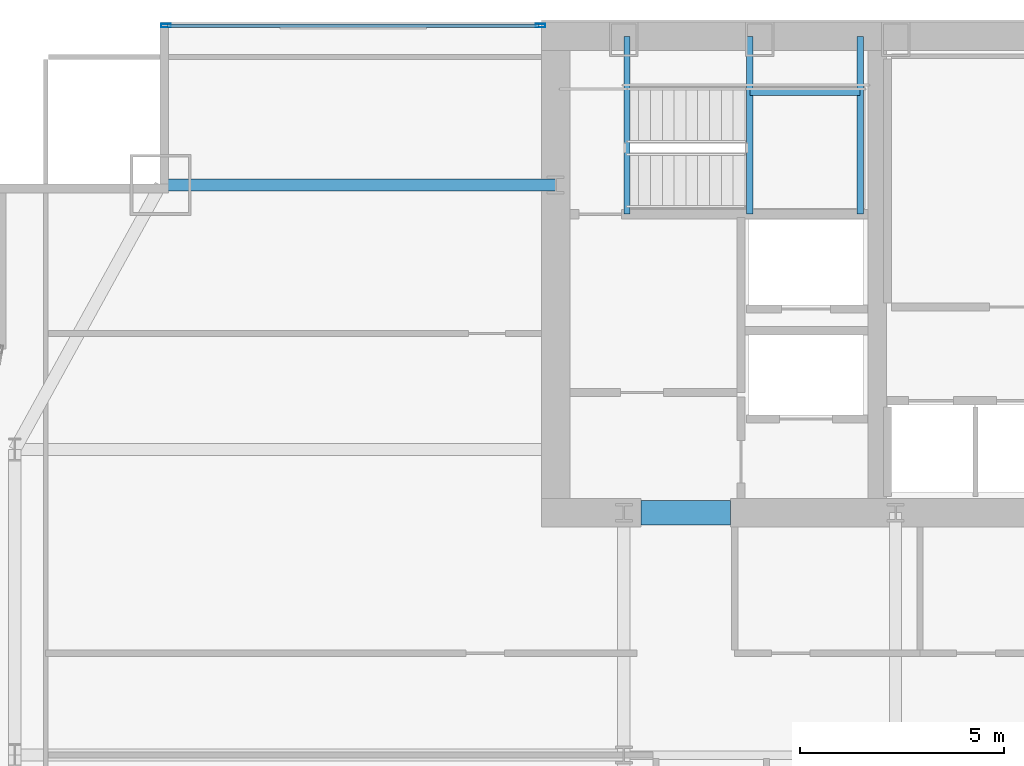
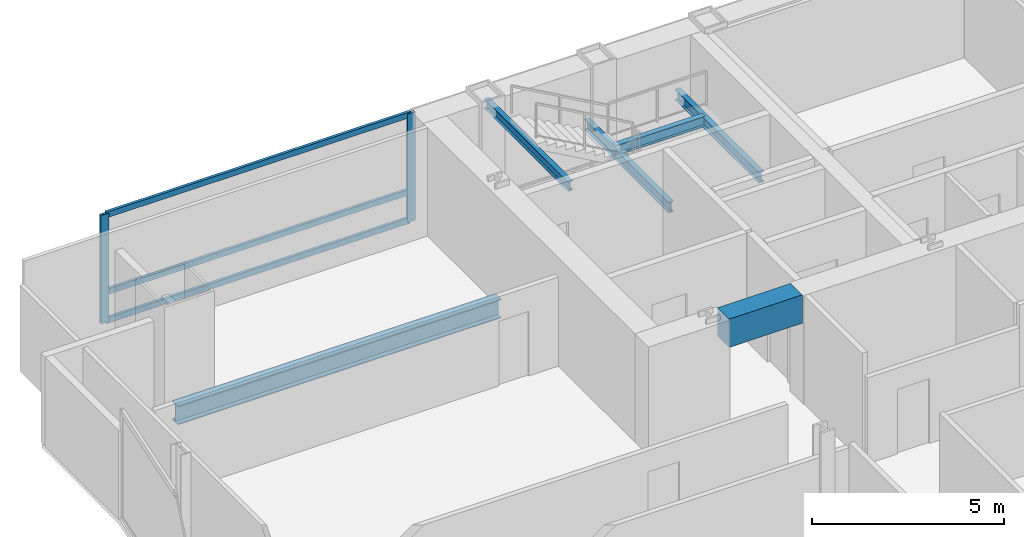
# One storey, part 18 of 31: 6 beams, 5 members, 1 element without a shape of its own.
"""IFC4 building model written with IfcOpenShell, lengths in metres."""

from ifc_helpers import new_model, si_unit, direction, frame, origin, origin_2d, place, context, subcontext, project, spatial, rectangle, hollow_rectangle, i_section, extrude, material, material_profile, profile_set, type_object, element, aggregate, save


model = new_model("IFC4")

# Units and contexts
model_context = context("Model", 3, precision=1e-05, world=origin(), true_north=direction((0.0, 1.0)))
body_context = subcontext(model_context, "Body", "Model", "MODEL_VIEW")
ifc_project = project(units=[si_unit("LENGTHUNIT", "METRE"), si_unit("AREAUNIT", "SQUARE_METRE"), si_unit("VOLUMEUNIT", "CUBIC_METRE"), si_unit("PLANEANGLEUNIT", "RADIAN"), si_unit("MASSUNIT", "GRAM", prefix="KILO")], contexts=[model_context])

# Site, building, storey
site_placement = place(None, origin())
site = spatial("IfcSite", under=ifc_project, at=site_placement, CompositionType="ELEMENT")
building_placement = place(site_placement, origin())
building = spatial("IfcBuilding", under=site, at=building_placement, Name="Khoronbel Lancet Exchange", CompositionType="ELEMENT")
storey_placement = place(building_placement, frame((0.0, 0.0, 121.800048828125)))
storey = spatial("IfcBuildingStorey", under=building, at=storey_placement, Name="L29", CompositionType="ELEMENT", Elevation=121.800048828125)

# Beams
ifc_material_1 = material(Name="Steel S355", Category="steel")
ifc_material_profile_1 = material_profile(ifc_material_1, i_section(OverallWidth=0.159912109375, OverallDepth=0.330078125, WebThickness=0.007568359375, FlangeThickness=0.011474609375, at=origin_2d()), Name="IPE 330")
ifc_profile_set_1 = profile_set([ifc_material_profile_1], Name="Steel S355")
beam_type_1 = type_object("IfcBeamType", Name="BM-BJ7", PredefinedType="JOIST", material=ifc_profile_set_1)
for number, where, z_axis, x_axis, name in (
    (1, (21.320068359375, 48.97998046875, 1.43505859375), (0.0, 1.0, 0.0), (-1.0, 0.0, 0.0), "Level L29 stair ST1 landing bearer beam 1"),
    (2, (24.030029296875, 48.97998046875, 1.43505859375), (0.0, 1.0, 0.0), (-1.0, 0.0, 0.0), "Level L29 stair ST1 rear landing bearer beam 1"),
):
    element("IfcBeam", number, at=place(storey_placement, frame(where, z_axis=z_axis, x_axis=x_axis)), inside=storey, type_object=beam_type_1, Name=name, PredefinedType="JOIST", context=body_context, shape_type="SweptSolid", body=[
        extrude(i_section(OverallWidth=0.159912109375, OverallDepth=0.330078125, WebThickness=0.007568359375, FlangeThickness=0.011474609375, at=origin_2d()), origin(), (0.0, 0.0, 1.0), 4.3701171875),
    ])
beam_1_placement = place(storey_placement, frame((21.320068359375, 51.97998046875, 1.43505859375), z_axis=(1.0, 0.0, 0.0), x_axis=(0.0, 1.0, 0.0)))
element("IfcBeam", 3, at=beam_1_placement, inside=storey, type_object=beam_type_1, Name="Level L29 stair ST1 landing cross trimmer beam 1", PredefinedType="JOIST", context=body_context, shape_type="SweptSolid", body=[
    extrude(i_section(OverallWidth=0.159912109375, OverallDepth=0.330078125, WebThickness=0.007568359375, FlangeThickness=0.011474609375, at=origin_2d()), origin(), (0.0, 0.0, 1.0), 2.7099609375),
])
ifc_material_profile_2 = material_profile(ifc_material_1, i_section(OverallWidth=0.14990234375, OverallDepth=0.300048828125, WebThickness=0.007080078125, FlangeThickness=0.0107421875, at=origin_2d()), Name="IPE 300")
ifc_profile_set_2 = profile_set([ifc_material_profile_2], Name="Steel S355")
beam_type_2 = type_object("IfcBeamType", Name="BM-BJ8", PredefinedType="JOIST", material=ifc_profile_set_2)
beam_2_placement = place(storey_placement, frame((18.300048828125, 48.97998046875, 3.159912109375), z_axis=(0.0, 1.0, 0.0), x_axis=(-1.0, 0.0, 0.0)))
element("IfcBeam", 4, at=beam_2_placement, inside=storey, type_object=beam_type_2, Name="Level L29 stair ST1 upper-flight arrival trimmer beam", PredefinedType="JOIST", context=body_context, shape_type="SweptSolid", body=[
    extrude(i_section(OverallWidth=0.14990234375, OverallDepth=0.300048828125, WebThickness=0.007080078125, FlangeThickness=0.0107421875, at=origin_2d()), origin(), (0.0, 0.0, 1.0), 4.3701171875),
])
ifc_material_2 = material(Name="Concrete C80/95", Category="concrete")
ifc_material_profile_3 = material_profile(ifc_material_2, rectangle(XDim=0.60009765625, YDim=0.89990234375, at=origin_2d()), Name="RC 600x900")
ifc_profile_set_3 = profile_set([ifc_material_profile_3], Name="Concrete C80/95")
beam_type_3 = type_object("IfcBeamType", Name="BM-BL1", PredefinedType="LINTEL", material=ifc_profile_set_3)
beam_3_placement = place(storey_placement, frame((18.64990234375, 41.64990234375, 2.989990234375), z_axis=(1.0, 0.0, 0.0), x_axis=(0.0, 1.0, 0.0)))
element("IfcBeam", 5, at=beam_3_placement, inside=storey, type_object=beam_type_3, Name="Level L29 rear core coupling lintel L1", PredefinedType="LINTEL", context=body_context, shape_type="SweptSolid", body=[
    extrude(rectangle(XDim=0.60009765625, YDim=0.89990234375, at=origin_2d()), origin(), (0.0, 0.0, 1.0), 2.2001953125),
])
ifc_material_profile_4 = material_profile(ifc_material_1, i_section(OverallWidth=0.300048828125, OverallDepth=0.60009765625, WebThickness=0.015380859375, FlangeThickness=0.030029296875, at=origin_2d()), Name="HEB 600")
ifc_profile_set_4 = profile_set([ifc_material_profile_4], Name="Steel S355")
beam_type_4 = type_object("IfcBeamType", Name="BM-BSP2", PredefinedType="SPANDREL", material=ifc_profile_set_4)
beam_4_placement = place(storey_placement, frame((6.85009765625, 49.699951171875, -0.4599609375), z_axis=(1.0, 0.0, 0.0), x_axis=(0.0, 1.0, 0.0)))
element("IfcBeam", 6, at=beam_4_placement, inside=storey, type_object=beam_type_4, Name="Level L29 north flank tie spandrel SP22", PredefinedType="SPANDREL", context=body_context, shape_type="SweptSolid", body=[
    extrude(i_section(OverallWidth=0.300048828125, OverallDepth=0.60009765625, WebThickness=0.015380859375, FlangeThickness=0.030029296875, at=origin_2d()), origin(), (0.0, 0.0, 1.0), 9.699951171875),
])

# Curtain wall, members
ifc_material_3 = material(Name="Low-E Solar Control Insulating Glass", Category="glass")
curtain_wall_type = type_object("IfcCurtainWallType", Name="CW-2", PredefinedType="NOTDEFINED", material=ifc_material_3)
curtain_wall_placement = place(storey_placement, origin())
curtain_wall = element("IfcCurtainWall", 7, at=curtain_wall_placement, inside=storey, type_object=curtain_wall_type, Name="Unitised curtain wall CW-L29-NWFLK", PredefinedType="NOTDEFINED")
ifc_material_4 = material(Name="Bronze-Anodised Aluminium 6063-T6", Category="aluminium")
ifc_material_profile_5 = material_profile(ifc_material_4, hollow_rectangle(XDim=0.0849609375, YDim=0.239990234375, WallThickness=0.006103515625, at=origin_2d()), Name="ALU MULLION 85x240")
ifc_profile_set_5 = profile_set([ifc_material_profile_5], Name="Bronze-Anodised Aluminium 6063-T6")
member_type_1 = type_object("IfcMemberType", Name="MEM-CWM1", PredefinedType="MULLION", material=ifc_profile_set_5)
member_1_placement = place(storey_placement, frame((16.177490234375, 53.610107421875, 0.0), z_axis=(0.0, 0.0, 1.0), x_axis=(0.0, -1.0, 0.0)))
member_1 = element("IfcMember", 8, at=member_1_placement, type_object=member_type_1, Name="CW2 mullion 1", PredefinedType="MULLION", context=body_context, shape_type="SweptSolid", body=[
    extrude(hollow_rectangle(XDim=0.0849609375, YDim=0.239990234375, WallThickness=0.006103515625, at=origin_2d()), origin(), (0.0, 0.0, 1.0), 3.43994140625),
])
member_2_placement = place(storey_placement, frame((6.982421875, 53.610107421875, 0.0), z_axis=(0.0, 0.0, 1.0), x_axis=(0.0, -1.0, 0.0)))
member_2 = element("IfcMember", 9, at=member_2_placement, type_object=member_type_1, Name="CW2 mullion 2", PredefinedType="MULLION", context=body_context, shape_type="SweptSolid", body=[
    extrude(hollow_rectangle(XDim=0.0849609375, YDim=0.239990234375, WallThickness=0.006103515625, at=origin_2d()), origin(), (0.0, 0.0, 1.0), 3.43994140625),
])
ifc_material_profile_6 = material_profile(ifc_material_4, hollow_rectangle(XDim=0.0849609375, YDim=0.179931640625, WallThickness=0.0048828125, at=origin_2d()), Name="ALU TRANSOM 85x180")
ifc_profile_set_6 = profile_set([ifc_material_profile_6], Name="Bronze-Anodised Aluminium 6063-T6")
member_type_2 = type_object("IfcMemberType", Name="MEM-CWT1", PredefinedType="USERDEFINED", material=ifc_profile_set_6)
member_3_placement = place(storey_placement, frame((16.135009765625, 53.610107421875, 0.04248046875), z_axis=(-1.0, 0.0, 0.0), x_axis=(0.0, -1.0, 0.0)))
member_3 = element("IfcMember", 10, at=member_3_placement, type_object=member_type_2, Name="CW2 transom 1.1", ObjectType="TRANSOM", PredefinedType="USERDEFINED", context=body_context, shape_type="SweptSolid", body=[
    extrude(hollow_rectangle(XDim=0.0849609375, YDim=0.179931640625, WallThickness=0.0048828125, at=origin_2d()), origin(), (0.0, 0.0, 1.0), 9.110107421875),
])
member_4_placement = place(storey_placement, frame((16.135009765625, 53.610107421875, 0.949951171875), z_axis=(-1.0, 0.0, 0.0), x_axis=(0.0, -1.0, 0.0)))
member_4 = element("IfcMember", 11, at=member_4_placement, type_object=member_type_2, Name="CW2 transom 1.2", ObjectType="TRANSOM", PredefinedType="USERDEFINED", context=body_context, shape_type="SweptSolid", body=[
    extrude(hollow_rectangle(XDim=0.0849609375, YDim=0.179931640625, WallThickness=0.0048828125, at=origin_2d()), origin(), (0.0, 0.0, 1.0), 9.110107421875),
])
member_5_placement = place(storey_placement, frame((16.135009765625, 53.610107421875, 3.3974609375), z_axis=(-1.0, 0.0, 0.0), x_axis=(0.0, -1.0, 0.0)))
member_5 = element("IfcMember", 12, at=member_5_placement, type_object=member_type_2, Name="CW2 transom 1.3", ObjectType="TRANSOM", PredefinedType="USERDEFINED", context=body_context, shape_type="SweptSolid", body=[
    extrude(hollow_rectangle(XDim=0.0849609375, YDim=0.179931640625, WallThickness=0.0048828125, at=origin_2d()), origin(), (0.0, 0.0, 1.0), 9.110107421875),
])
aggregate(curtain_wall, [member_1, member_2, member_3, member_4, member_5])

save(model, "model.ifc")
